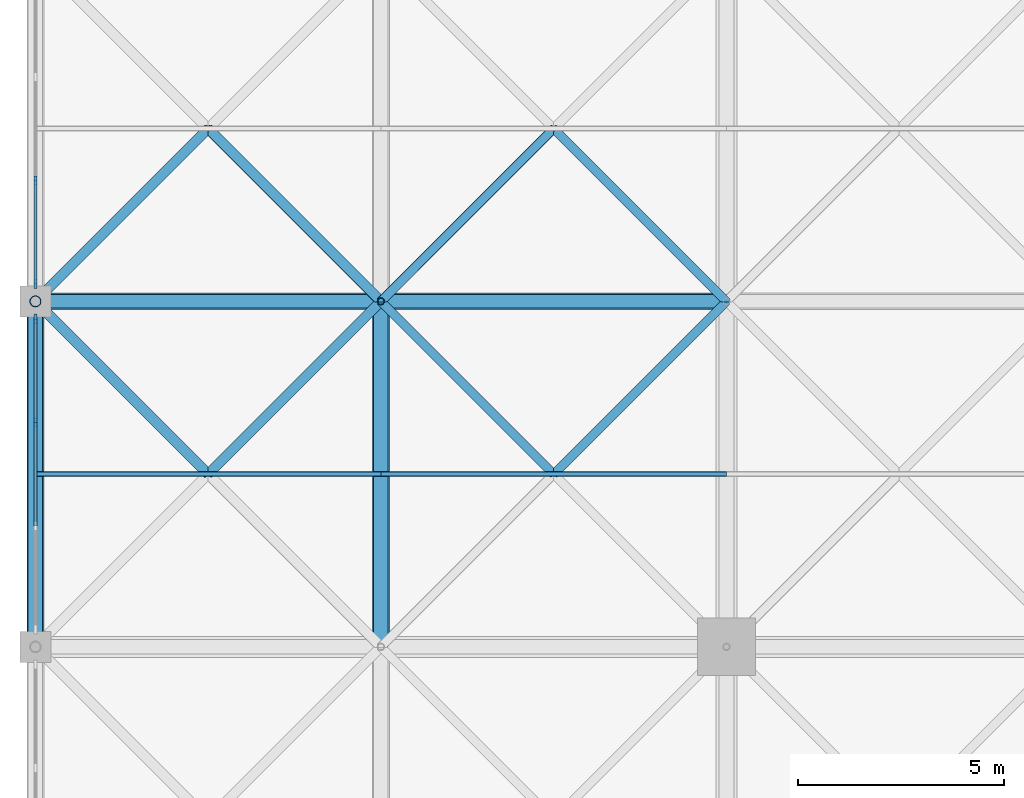
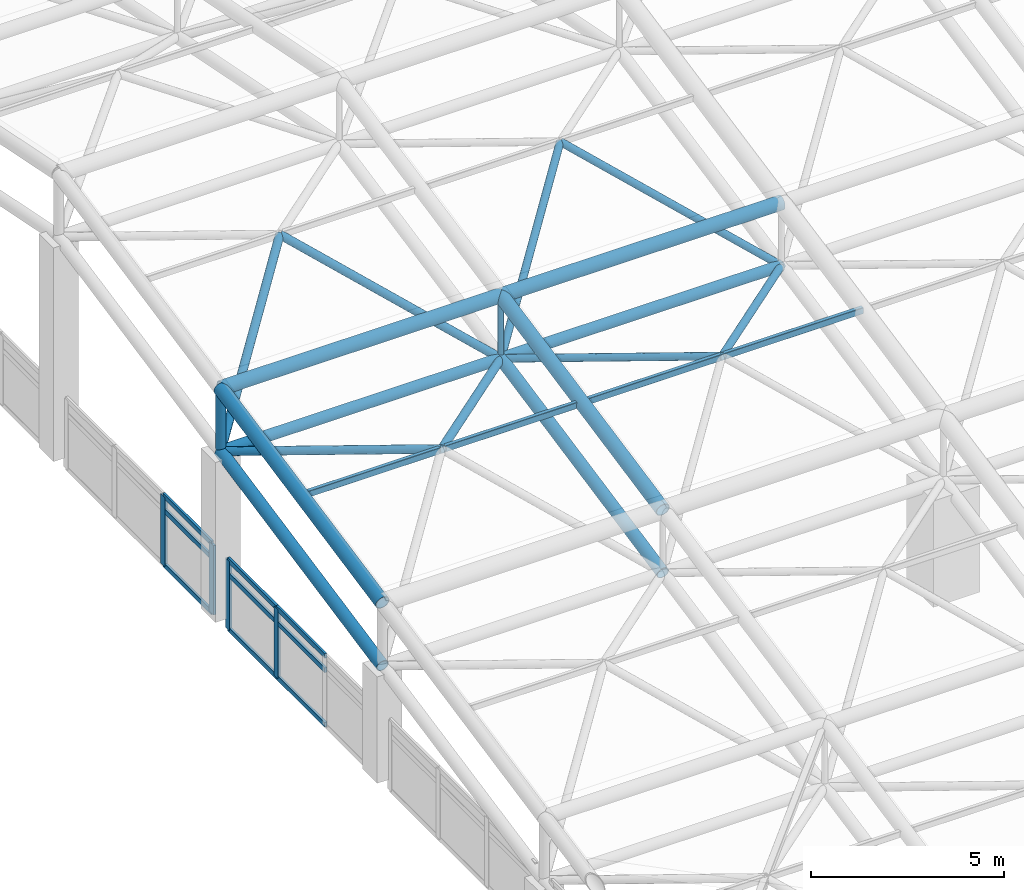
# One storey, part 27 of 81: 33 members, 2 elements without a shape of their own.
"""IFC4 building model written with IfcOpenShell, lengths in metres."""

from ifc_helpers import new_model, si_unit, direction, frame, origin, origin_2d, place, context, subcontext, project, spatial, rectangle, hollow_rectangle, hollow_circle, extrude, material, layer, layer_set, material_profile, profile_set, type_object, element, aggregate, save


model = new_model("IFC4")

# Units and contexts
model_context = context("Model", 3, precision=1e-05, world=origin(), true_north=direction((0.0, 1.0)))
body_context = subcontext(model_context, "Body", "Model", "MODEL_VIEW")
ifc_project = project(units=[si_unit("LENGTHUNIT", "METRE"), si_unit("AREAUNIT", "SQUARE_METRE"), si_unit("VOLUMEUNIT", "CUBIC_METRE"), si_unit("PLANEANGLEUNIT", "RADIAN"), si_unit("MASSUNIT", "GRAM", prefix="KILO")], contexts=[model_context])

# Site, building, storey
site_placement = place(None, origin())
site = spatial("IfcSite", under=ifc_project, at=site_placement, CompositionType="ELEMENT")
building_placement = place(site_placement, origin())
building = spatial("IfcBuilding", under=site, at=building_placement, Name="Qawsi Khor Wholesale Market", CompositionType="ELEMENT")
storey_placement = place(building_placement, frame((0.0, 0.0, 16.199951171875)))
storey = spatial("IfcBuildingStorey", under=building, at=storey_placement, Name="L03", CompositionType="ELEMENT", Elevation=16.199951171875)

# Curtain wall, members
ifc_material_1 = material(Name="Aluminium Anodised Bronze", Category="aluminium")
ifc_layer = layer(ifc_material_1, 0.199951171875, Name="Aluminium Anodised Bronze")
ifc_layer_set = layer_set([ifc_layer], Name="Aluminium Anodised Bronze")
curtain_wall_type = type_object("IfcCurtainWallType", Name="Trading Hall North-Light Curtain Wall CW-03", PredefinedType="NOTDEFINED", material=ifc_layer_set)
curtain_wall_1_placement = place(storey_placement, origin())
curtain_wall_1 = element("IfcCurtainWall", 1, at=curtain_wall_1_placement, inside=storey, type_object=curtain_wall_type, Name="Curtain wall CW-CW-03-L03-133", PredefinedType="NOTDEFINED")
ifc_material_profile_1 = material_profile(ifc_material_1, rectangle(XDim=0.074951171875, YDim=0.219970703125, at=origin_2d()), Name="ALU MULLION 75x220")
ifc_profile_set_1 = profile_set([ifc_material_profile_1], Name="Aluminium Anodised Bronze")
member_type_1 = type_object("IfcMemberType", Name="Curtain Wall Mullion CW-03 ALU MULLION 75x220", PredefinedType="MULLION", material=ifc_profile_set_1)
member_1_placement = place(storey_placement, frame((0.0, 64.25927734375, -0.300048828125), z_axis=(0.0, 0.0, 1.0), x_axis=(1.0, 0.0, 0.0)))
member_1 = element("IfcMember", 2, at=member_1_placement, type_object=member_type_1, Name="Mullion CW-CW-03-L03-133-M02", PredefinedType="MULLION", context=body_context, shape_type="SweptSolid", body=[
    extrude(rectangle(XDim=0.074951171875, YDim=0.219970703125, at=origin_2d()), origin(), (0.0, 0.0, 1.0), 2.2001953125),
])
member_2_placement = place(storey_placement, frame((0.0, 66.777587890625, -0.300048828125), z_axis=(0.0, 0.0, 1.0), x_axis=(1.0, 0.0, 0.0)))
member_2 = element("IfcMember", 3, at=member_2_placement, type_object=member_type_1, Name="Mullion CW-CW-03-L03-133-M03", PredefinedType="MULLION", context=body_context, shape_type="SweptSolid", body=[
    extrude(rectangle(XDim=0.074951171875, YDim=0.219970703125, at=origin_2d()), origin(), (0.0, 0.0, 1.0), 2.2001953125),
])

curtain_wall_2_placement = place(storey_placement, origin())
curtain_wall_2 = element("IfcCurtainWall", 4, at=curtain_wall_2_placement, inside=storey, type_object=curtain_wall_type, Name="Curtain wall CW-CW-03-L03-135", PredefinedType="NOTDEFINED")
member_3_placement = place(storey_placement, frame((0.0, 67.62255859375, -0.300048828125), z_axis=(0.0, 0.0, 1.0), x_axis=(1.0, 0.0, 0.0)))
member_3 = element("IfcMember", 5, at=member_3_placement, type_object=member_type_1, Name="Mullion CW-CW-03-L03-135-M00", PredefinedType="MULLION", context=body_context, shape_type="SweptSolid", body=[
    extrude(rectangle(XDim=0.074951171875, YDim=0.219970703125, at=origin_2d()), origin(), (0.0, 0.0, 1.0), 2.2001953125),
])
member_4_placement = place(storey_placement, frame((0.0, 70.140869140625, -0.300048828125), z_axis=(0.0, 0.0, 1.0), x_axis=(1.0, 0.0, 0.0)))
member_4 = element("IfcMember", 6, at=member_4_placement, type_object=member_type_1, Name="Mullion CW-CW-03-L03-135-M01", PredefinedType="MULLION", context=body_context, shape_type="SweptSolid", body=[
    extrude(rectangle(XDim=0.074951171875, YDim=0.219970703125, at=origin_2d()), origin(), (0.0, 0.0, 1.0), 2.2001953125),
])

# Member
ifc_material_profile_2 = material_profile(ifc_material_1, rectangle(XDim=0.070068359375, YDim=0.14990234375, at=origin_2d()), Name="ALU TRANSOM 70x150")
ifc_profile_set_2 = profile_set([ifc_material_profile_2], Name="Aluminium Anodised Bronze")
member_type_2 = type_object("IfcMemberType", Name="Curtain Wall Transom CW-03 ALU TRANSOM 70x150", PredefinedType="USERDEFINED", material=ifc_profile_set_2)
member_5_placement = place(storey_placement, frame((0.0, 61.74072265625, -0.280029296875), z_axis=(0.0, 1.0, 0.0), x_axis=(-1.0, 0.0, 0.0)))
member_5 = element("IfcMember", 7, at=member_5_placement, type_object=member_type_2, Name="Transom CW-CW-03-L03-133-T0_01", ObjectType="TRANSOM", PredefinedType="USERDEFINED", context=body_context, shape_type="SweptSolid", body=[
    extrude(rectangle(XDim=0.070068359375, YDim=0.14990234375, at=origin_2d()), origin(), (0.0, 0.0, 1.0), 2.5185546875),
])

member_6_placement = place(storey_placement, frame((0.0, 64.25927734375, -0.280029296875), z_axis=(0.0, 1.0, 0.0), x_axis=(-1.0, 0.0, 0.0)))
member_6 = element("IfcMember", 8, at=member_6_placement, type_object=member_type_2, Name="Transom CW-CW-03-L03-133-T0_02", ObjectType="TRANSOM", PredefinedType="USERDEFINED", context=body_context, shape_type="SweptSolid", body=[
    extrude(rectangle(XDim=0.070068359375, YDim=0.14990234375, at=origin_2d()), origin(), (0.0, 0.0, 1.0), 2.518310546875),
])

member_7_placement = place(storey_placement, frame((0.0, 61.74072265625, 1.449951171875), z_axis=(0.0, 1.0, 0.0), x_axis=(-1.0, 0.0, 0.0)))
member_7 = element("IfcMember", 9, at=member_7_placement, type_object=member_type_2, Name="Transom CW-CW-03-L03-133-T1_01", ObjectType="TRANSOM", PredefinedType="USERDEFINED", context=body_context, shape_type="SweptSolid", body=[
    extrude(rectangle(XDim=0.070068359375, YDim=0.14990234375, at=origin_2d()), origin(), (0.0, 0.0, 1.0), 2.5185546875),
])

member_8_placement = place(storey_placement, frame((0.0, 64.25927734375, 1.449951171875), z_axis=(0.0, 1.0, 0.0), x_axis=(-1.0, 0.0, 0.0)))
member_8 = element("IfcMember", 10, at=member_8_placement, type_object=member_type_2, Name="Transom CW-CW-03-L03-133-T1_02", ObjectType="TRANSOM", PredefinedType="USERDEFINED", context=body_context, shape_type="SweptSolid", body=[
    extrude(rectangle(XDim=0.070068359375, YDim=0.14990234375, at=origin_2d()), origin(), (0.0, 0.0, 1.0), 2.518310546875),
])

member_9_placement = place(storey_placement, frame((0.0, 61.74072265625, 1.900146484375), z_axis=(0.0, 1.0, 0.0), x_axis=(-1.0, 0.0, 0.0)))
member_9 = element("IfcMember", 11, at=member_9_placement, type_object=member_type_2, Name="Transom CW-CW-03-L03-133-T2_01", ObjectType="TRANSOM", PredefinedType="USERDEFINED", context=body_context, shape_type="SweptSolid", body=[
    extrude(rectangle(XDim=0.070068359375, YDim=0.14990234375, at=origin_2d()), origin(), (0.0, 0.0, 1.0), 2.5185546875),
])

member_10_placement = place(storey_placement, frame((0.0, 64.25927734375, 1.900146484375), z_axis=(0.0, 1.0, 0.0), x_axis=(-1.0, 0.0, 0.0)))
member_10 = element("IfcMember", 12, at=member_10_placement, type_object=member_type_2, Name="Transom CW-CW-03-L03-133-T2_02", ObjectType="TRANSOM", PredefinedType="USERDEFINED", context=body_context, shape_type="SweptSolid", body=[
    extrude(rectangle(XDim=0.070068359375, YDim=0.14990234375, at=origin_2d()), origin(), (0.0, 0.0, 1.0), 2.518310546875),
])

aggregate(curtain_wall_1, [member_1, member_2, member_5, member_6, member_7, member_8, member_9, member_10])

member_11_placement = place(storey_placement, frame((0.0, 67.62255859375, -0.280029296875), z_axis=(0.0, 1.0, 0.0), x_axis=(-1.0, 0.0, 0.0)))
member_11 = element("IfcMember", 13, at=member_11_placement, type_object=member_type_2, Name="Transom CW-CW-03-L03-135-T0_00", ObjectType="TRANSOM", PredefinedType="USERDEFINED", context=body_context, shape_type="SweptSolid", body=[
    extrude(rectangle(XDim=0.070068359375, YDim=0.14990234375, at=origin_2d()), origin(), (0.0, 0.0, 1.0), 2.518310546875),
])

member_12_placement = place(storey_placement, frame((0.0, 67.62255859375, 1.449951171875), z_axis=(0.0, 1.0, 0.0), x_axis=(-1.0, 0.0, 0.0)))
member_12 = element("IfcMember", 14, at=member_12_placement, type_object=member_type_2, Name="Transom CW-CW-03-L03-135-T1_00", ObjectType="TRANSOM", PredefinedType="USERDEFINED", context=body_context, shape_type="SweptSolid", body=[
    extrude(rectangle(XDim=0.070068359375, YDim=0.14990234375, at=origin_2d()), origin(), (0.0, 0.0, 1.0), 2.518310546875),
])

member_13_placement = place(storey_placement, frame((0.0, 67.62255859375, 1.900146484375), z_axis=(0.0, 1.0, 0.0), x_axis=(-1.0, 0.0, 0.0)))
member_13 = element("IfcMember", 15, at=member_13_placement, type_object=member_type_2, Name="Transom CW-CW-03-L03-135-T2_00", ObjectType="TRANSOM", PredefinedType="USERDEFINED", context=body_context, shape_type="SweptSolid", body=[
    extrude(rectangle(XDim=0.070068359375, YDim=0.14990234375, at=origin_2d()), origin(), (0.0, 0.0, 1.0), 2.518310546875),
])

aggregate(curtain_wall_2, [member_3, member_4, member_11, member_12, member_13])

# Members
ifc_material_2 = material(Name="Steel S355", Category="steel")
ifc_material_profile_3 = material_profile(ifc_material_2, hollow_circle(Radius=0.177734375, WallThickness=0.01611328125, at=origin_2d()), Name="CHS 355.6x16.0")
ifc_profile_set_3 = profile_set([ifc_material_profile_3], Name="Steel S355")
member_type_3 = type_object("IfcMemberType", Name="Space-Frame Bottom Chord CHS 355.6x16.0", PredefinedType="CHORD", material=ifc_profile_set_3)
for number, where, z_axis, x_axis, name in (
    (16, (0.0, 58.800048828125, 3.3701171875), (0.0, 0.980129990483, 0.1983562496), (-1.0, 0.0, 0.0), "Space frame bottom chord Y WH (0,7)"),
    (17, (8.39990234375, 58.800048828125, 3.3701171875), (0.0, 0.980129990483, 0.1983562496), (-1.0, 0.0, 0.0), "Space frame bottom chord Y WH (1,7)"),
):
    element("IfcMember", number, at=place(storey_placement, frame(where, z_axis=z_axis, x_axis=x_axis)), inside=storey, type_object=member_type_3, Name=name, PredefinedType="CHORD", context=body_context, shape_type="SweptSolid", body=[
        extrude(hollow_circle(Radius=0.177734375, WallThickness=0.01611328125, at=origin_2d()), origin(), (0.0, 0.0, 1.0), 8.5703125),
    ])
ifc_material_profile_4 = material_profile(ifc_material_2, hollow_circle(Radius=0.136474609375, WallThickness=0.012451171875, at=origin_2d()), Name="CHS 273.0x12.5")
ifc_profile_set_4 = profile_set([ifc_material_profile_4], Name="Steel S355")
member_type_4 = type_object("IfcMemberType", Name="Space-Frame Edge Post CHS 273.0x12.5", PredefinedType="POST", material=ifc_profile_set_4)
member_14_placement = place(storey_placement, frame((0.0, 67.199951171875, 5.070068359375), z_axis=(0.0, 0.0, 1.0), x_axis=(1.0, 0.0, 0.0)))
element("IfcMember", 18, at=member_14_placement, inside=storey, type_object=member_type_4, Name="Space frame post WH (0,8)", PredefinedType="POST", context=body_context, shape_type="SweptSolid", body=[
    extrude(hollow_circle(Radius=0.136474609375, WallThickness=0.012451171875, at=origin_2d()), origin(), (0.0, 0.0, 1.0), 2.0),
])
ifc_material_profile_5 = material_profile(ifc_material_2, hollow_circle(Radius=0.122314453125, WallThickness=0.012451171875, at=origin_2d()), Name="CHS 244.5x12.5")
ifc_profile_set_5 = profile_set([ifc_material_profile_5], Name="Steel S355")
member_type_5 = type_object("IfcMemberType", Name="Space-Frame Heavy Diagonal CHS 244.5x12.5", PredefinedType="POST", material=ifc_profile_set_5)
for number, where, z_axis, x_axis, name in (
    (19, (8.39990234375, 67.199951171875, 5.070068359375), (-0.694216714393, -0.694216714393, 0.190069216113), (0.707106781187, -0.707106781187, 0.0), "Space frame diagonal WH (0,7)-3"),
    (20, (0.0, 67.199951171875, 5.070068359375), (0.694216714393, -0.694216714393, 0.190069216113), (0.707106781187, 0.707106781187, 0.0), "Space frame diagonal WH (0,7)-4"),
):
    element("IfcMember", number, at=place(storey_placement, frame(where, z_axis=z_axis, x_axis=x_axis)), inside=storey, type_object=member_type_5, Name=name, PredefinedType="POST", context=body_context, shape_type="SweptSolid", body=[
        extrude(hollow_circle(Radius=0.122314453125, WallThickness=0.012451171875, at=origin_2d()), origin(), (0.0, 0.0, 1.0), 6.0498046875),
    ])
for number, where, z_axis, x_axis, name in (
    (21, (0.0, 67.199951171875, 5.070068359375), (0.637511741089, 0.637511741089, 0.432617105474), (-0.707106781187, 0.707106781187, 0.0), "Space frame diagonal WH (0,8)-1"),
    (22, (8.39990234375, 67.199951171875, 5.070068359375), (-0.637511741089, 0.637511741089, 0.432617105474), (-0.707106781187, -0.707106781187, 0.0), "Space frame diagonal WH (0,8)-2"),
):
    element("IfcMember", number, at=place(storey_placement, frame(where, z_axis=z_axis, x_axis=x_axis)), inside=storey, type_object=member_type_5, Name=name, PredefinedType="POST", context=body_context, shape_type="SweptSolid", body=[
        extrude(hollow_circle(Radius=0.122314453125, WallThickness=0.012451171875, at=origin_2d()), origin(), (0.0, 0.0, 1.0), 6.588134765625),
    ])
ifc_material_profile_6 = material_profile(ifc_material_2, hollow_rectangle(XDim=0.1201171875, YDim=0.199951171875, WallThickness=0.008056640625, InnerFilletRadius=0.008056640625, OuterFilletRadius=0.01611328125, at=origin_2d()), Name="RHS 200x120x8.0")
ifc_profile_set_6 = profile_set([ifc_material_profile_6], Name="Steel S355")
member_type_6 = type_object("IfcMemberType", Name="Space-Frame Heavy Purlin RHS 200x120x8.0", PredefinedType="PURLIN", material=ifc_profile_set_6)
member_15_placement = place(storey_placement, frame((0.0, 63.0, 6.219970703125), z_axis=(1.0, 0.0, 0.0), x_axis=(0.0, 1.0, 0.0)))
element("IfcMember", 23, at=member_15_placement, inside=storey, type_object=member_type_6, Name="Space frame purlin WH (0,7)", PredefinedType="PURLIN", context=body_context, shape_type="SweptSolid", body=[
    extrude(hollow_rectangle(XDim=0.1201171875, YDim=0.199951171875, WallThickness=0.008056640625, InnerFilletRadius=0.008056640625, OuterFilletRadius=0.01611328125, at=origin_2d()), origin(), (0.0, 0.0, 1.0), 8.39990234375),
])
member_16_placement = place(storey_placement, frame((8.39990234375, 63.0, 6.219970703125), z_axis=(1.0, 0.0, 0.0), x_axis=(0.0, 1.0, 0.0)))
element("IfcMember", 24, at=member_16_placement, inside=storey, type_object=member_type_6, Name="Space frame purlin WH (1,7)", PredefinedType="PURLIN", context=body_context, shape_type="SweptSolid", body=[
    extrude(hollow_rectangle(XDim=0.1201171875, YDim=0.199951171875, WallThickness=0.008056640625, InnerFilletRadius=0.008056640625, OuterFilletRadius=0.01611328125, at=origin_2d()), origin(), (0.0, 0.0, 1.0), 8.400146484375),
])
ifc_material_profile_7 = material_profile(ifc_material_2, hollow_circle(Radius=0.109619140625, WallThickness=0.010009765625, at=origin_2d()), Name="CHS 219.1x10.0")
ifc_profile_set_7 = profile_set([ifc_material_profile_7], Name="Steel S355")
member_type_7 = type_object("IfcMemberType", Name="Space-Frame Inner Diagonal CHS 219.1x10.0", PredefinedType="RAFTER", material=ifc_profile_set_7)
member_17_placement = place(storey_placement, frame((16.800048828125, 67.199951171875, 5.070068359375), z_axis=(-0.694216714393, -0.694216714393, 0.190069216113), x_axis=(0.707106781187, -0.707106781187, 0.0)))
element("IfcMember", 25, at=member_17_placement, inside=storey, type_object=member_type_7, Name="Space frame diagonal WH (1,7)-3", PredefinedType="RAFTER", context=body_context, shape_type="SweptSolid", body=[
    extrude(hollow_circle(Radius=0.109619140625, WallThickness=0.010009765625, at=origin_2d()), origin(), (0.0, 0.0, 1.0), 6.0498046875),
])
member_18_placement = place(storey_placement, frame((8.39990234375, 67.199951171875, 5.070068359375), z_axis=(0.694237619642, -0.694197266374, 0.19006389145), x_axis=(0.70708622964, 0.707127332136, 0.0)))
element("IfcMember", 26, at=member_18_placement, inside=storey, type_object=member_type_7, Name="Space frame diagonal WH (1,7)-4", PredefinedType="RAFTER", context=body_context, shape_type="SweptSolid", body=[
    extrude(hollow_circle(Radius=0.109619140625, WallThickness=0.010009765625, at=origin_2d()), origin(), (0.0, 0.0, 1.0), 6.050048828125),
])
for number, where, z_axis, x_axis, name in (
    (27, (8.39990234375, 67.199951171875, 5.070068359375), (0.637533737254, 0.637496679957, 0.432606884951), (-0.70708622964, 0.707127332136, 0.0), "Space frame diagonal WH (1,8)-1"),
    (28, (16.800048828125, 67.199951171875, 5.070068359375), (-0.637511741089, 0.637511741089, 0.432617105474), (-0.707106781187, -0.707106781187, 0.0), "Space frame diagonal WH (1,8)-2"),
):
    element("IfcMember", number, at=place(storey_placement, frame(where, z_axis=z_axis, x_axis=x_axis)), inside=storey, type_object=member_type_7, Name=name, PredefinedType="RAFTER", context=body_context, shape_type="SweptSolid", body=[
        extrude(hollow_circle(Radius=0.109619140625, WallThickness=0.010009765625, at=origin_2d()), origin(), (0.0, 0.0, 1.0), 6.588134765625),
    ])
ifc_material_profile_8 = material_profile(ifc_material_2, hollow_circle(Radius=0.161865234375, WallThickness=0.01611328125, at=origin_2d()), Name="CHS 323.9x16.0")
ifc_profile_set_8 = profile_set([ifc_material_profile_8], Name="Steel S355")
member_type_8 = type_object("IfcMemberType", Name="Space-Frame Secondary Chord CHS 323.9x16.0", PredefinedType="CHORD", material=ifc_profile_set_8)
member_19_placement = place(storey_placement, frame((0.0, 67.199951171875, 5.070068359375), z_axis=(1.0, 0.0, 0.0), x_axis=(0.0, 1.0, 0.0)))
element("IfcMember", 29, at=member_19_placement, inside=storey, type_object=member_type_8, Name="Space frame bottom chord X WH (0,8)", PredefinedType="CHORD", context=body_context, shape_type="SweptSolid", body=[
    extrude(hollow_circle(Radius=0.161865234375, WallThickness=0.01611328125, at=origin_2d()), origin(), (0.0, 0.0, 1.0), 8.39990234375),
])
member_20_placement = place(storey_placement, frame((8.39990234375, 67.199951171875, 5.070068359375), z_axis=(1.0, 0.0, 0.0), x_axis=(0.0, 1.0, 0.0)))
element("IfcMember", 30, at=member_20_placement, inside=storey, type_object=member_type_8, Name="Space frame bottom chord X WH (1,8)", PredefinedType="CHORD", context=body_context, shape_type="SweptSolid", body=[
    extrude(hollow_circle(Radius=0.161865234375, WallThickness=0.01611328125, at=origin_2d()), origin(), (0.0, 0.0, 1.0), 8.400146484375),
])
ifc_material_profile_9 = material_profile(ifc_material_2, hollow_circle(Radius=0.203125, WallThickness=0.02001953125, at=origin_2d()), Name="CHS 406.4x20.0")
ifc_profile_set_9 = profile_set([ifc_material_profile_9], Name="Steel S355")
member_type_9 = type_object("IfcMemberType", Name="Space-Frame Top Chord CHS 406.4x20.0", PredefinedType="CHORD", material=ifc_profile_set_9)
member_21_placement = place(storey_placement, frame((0.0, 58.800048828125, 5.3701171875), z_axis=(0.0, 0.980129990483, 0.1983562496), x_axis=(-1.0, 0.0, 0.0)))
element("IfcMember", 31, at=member_21_placement, inside=storey, type_object=member_type_9, Name="Space frame top chord Y WH (0,7)", PredefinedType="CHORD", context=body_context, shape_type="SweptSolid", body=[
    extrude(hollow_circle(Radius=0.203125, WallThickness=0.02001953125, at=origin_2d()), origin(), (0.0, 0.0, 1.0), 8.5703125),
])
member_22_placement = place(storey_placement, frame((0.0, 67.199951171875, 7.070068359375), z_axis=(1.0, 0.0, 0.0), x_axis=(0.0, 1.0, 0.0)))
element("IfcMember", 32, at=member_22_placement, inside=storey, type_object=member_type_9, Name="Space frame top chord X WH (0,8)", PredefinedType="CHORD", context=body_context, shape_type="SweptSolid", body=[
    extrude(hollow_circle(Radius=0.203125, WallThickness=0.02001953125, at=origin_2d()), origin(), (0.0, 0.0, 1.0), 8.39990234375),
])
member_23_placement = place(storey_placement, frame((8.39990234375, 58.800048828125, 5.3701171875), z_axis=(0.0, 0.980129990483, 0.1983562496), x_axis=(-1.0, 0.0, 0.0)))
element("IfcMember", 33, at=member_23_placement, inside=storey, type_object=member_type_9, Name="Space frame top chord Y WH (1,7)", PredefinedType="CHORD", context=body_context, shape_type="SweptSolid", body=[
    extrude(hollow_circle(Radius=0.203125, WallThickness=0.02001953125, at=origin_2d()), origin(), (0.0, 0.0, 1.0), 8.5703125),
])
member_24_placement = place(storey_placement, frame((8.39990234375, 67.199951171875, 7.070068359375), z_axis=(1.0, 0.0, 0.0), x_axis=(0.0, 1.0, 0.0)))
element("IfcMember", 34, at=member_24_placement, inside=storey, type_object=member_type_9, Name="Space frame top chord X WH (1,8)", PredefinedType="CHORD", context=body_context, shape_type="SweptSolid", body=[
    extrude(hollow_circle(Radius=0.203125, WallThickness=0.02001953125, at=origin_2d()), origin(), (0.0, 0.0, 1.0), 8.400146484375),
])
ifc_material_profile_10 = material_profile(ifc_material_2, hollow_circle(Radius=0.084228515625, WallThickness=0.008056640625, at=origin_2d()), Name="CHS 168.3x8.0")
ifc_profile_set_10 = profile_set([ifc_material_profile_10], Name="Steel S355")
member_type_10 = type_object("IfcMemberType", Name="Space-Frame Vertical Strut CHS 168.3x8.0", PredefinedType="STRUT", material=ifc_profile_set_10)
member_25_placement = place(storey_placement, frame((8.39990234375, 67.199951171875, 5.070068359375), z_axis=(0.0, 0.0, 1.0), x_axis=(1.0, 0.0, 0.0)))
element("IfcMember", 35, at=member_25_placement, inside=storey, type_object=member_type_10, Name="Space frame post WH (1,8)", PredefinedType="STRUT", context=body_context, shape_type="SweptSolid", body=[
    extrude(hollow_circle(Radius=0.084228515625, WallThickness=0.008056640625, at=origin_2d()), origin(), (0.0, 0.0, 1.0), 2.0),
])

save(model, "model.ifc")
